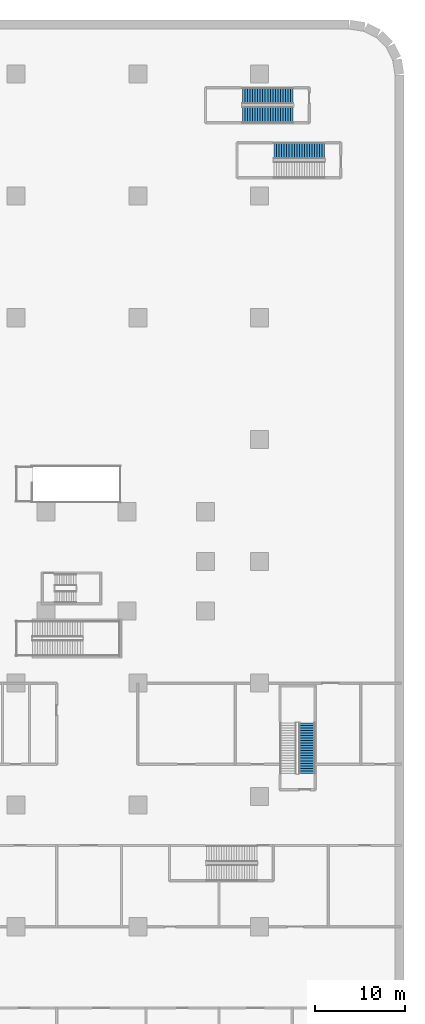
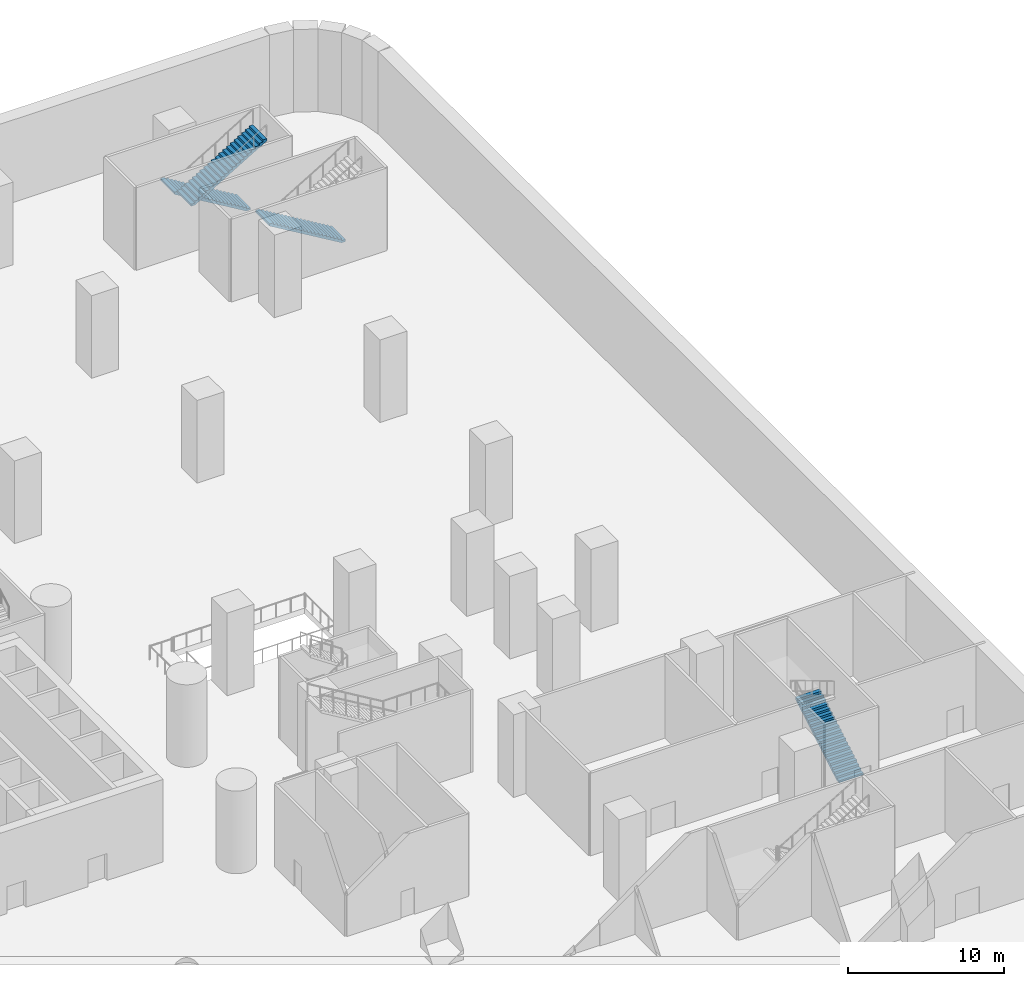
# One storey, part 19 of 37: 4 stair flights, 3 elements without a shape of their own.
"""IFC4 building model written with IfcOpenShell, lengths in metres."""

from ifc_helpers import new_model, si_unit, direction, frame, origin, place, context, subcontext, project, spatial, polyline, outline, extrude, material, type_object, element, aggregate, save


model = new_model("IFC4")

# Units and contexts
model_context = context("Model", 3, precision=1e-05, world=origin(), true_north=direction((0.0, 1.0)))
body_context = subcontext(model_context, "Body", "Model", "MODEL_VIEW")
ifc_project = project(units=[si_unit("LENGTHUNIT", "METRE"), si_unit("AREAUNIT", "SQUARE_METRE"), si_unit("VOLUMEUNIT", "CUBIC_METRE"), si_unit("PLANEANGLEUNIT", "RADIAN"), si_unit("MASSUNIT", "GRAM", prefix="KILO")], contexts=[model_context])

# Site, building, storey
site_placement = place(None, origin())
site = spatial("IfcSite", under=ifc_project, at=site_placement, CompositionType="ELEMENT")
building_placement = place(site_placement, origin())
building = spatial("IfcBuilding", under=site, at=building_placement, Name="Tamarind Cross Interchange Tower", CompositionType="ELEMENT")
storey_placement = place(building_placement, frame((0.0, 0.0, -7.0)))
storey = spatial("IfcBuildingStorey", under=building, at=storey_placement, Name="B1", CompositionType="ELEMENT", Elevation=-7.0)

# Stair, stair flights
ifc_material_1 = material(Name="Public stair")
stair_type = type_object("IfcStairType", Name="Public stair", PredefinedType="HALF_TURN_STAIR", material=ifc_material_1)
stair_1_placement = place(storey_placement, origin())
stair_1 = element("IfcStair", 1, at=stair_1_placement, inside=storey, type_object=stair_type, Name="B1 exit stair XS-P01", PredefinedType="HALF_TURN_STAIR")
ifc_material_2 = material(Name="Public stair flight")
stair_flight_type = type_object("IfcStairFlightType", Name="Public stair flight", PredefinedType="STRAIGHT", material=ifc_material_2)
stair_flight_1_placement = place(storey_placement, frame((57.699951171875, 51.60009765625, 0.0), z_axis=(0.0, 0.0, 1.0), x_axis=(-1.0, 0.0, 0.0)))
stair_flight_1 = element("IfcStairFlight", 2, at=stair_flight_1_placement, type_object=stair_flight_type, Name="XS-P01 flight 1", NumberOfRisers=21, NumberOfTreads=20, PredefinedType="STRAIGHT", RiserHeight=0.166666667, TreadLength=0.28, context=body_context, shape_type="SweptSolid", body=[
    extrude(outline(polyline([(0.0, 0.0), (0.0, 0.166748046875), (0.280029296875, 0.166748046875), (0.280029296875, 0.333251953125), (0.56005859375, 0.333251953125), (0.56005859375, 0.5), (0.840087890625, 0.5), (0.840087890625, 0.666748046875), (1.1201171875, 0.666748046875), (1.1201171875, 0.833251953125), (1.39990234375, 0.833251953125), (1.39990234375, 1.0), (1.679931640625, 1.0), (1.679931640625, 1.166748046875), (1.9599609375, 1.166748046875), (1.9599609375, 1.333251953125), (2.239990234375, 1.333251953125), (2.239990234375, 1.5), (2.52001953125, 1.5), (2.52001953125, 1.666748046875), (2.800048828125, 1.666748046875), (2.800048828125, 1.833251953125), (3.080078125, 1.833251953125), (3.080078125, 2.0), (3.360107421875, 2.0), (3.360107421875, 2.166748046875), (3.639892578125, 2.166748046875), (3.639892578125, 2.333251953125), (3.919921875, 2.333251953125), (3.919921875, 2.5), (4.199951171875, 2.5), (4.199951171875, 2.666748046875), (4.47998046875, 2.666748046875), (4.47998046875, 2.833251953125), (4.760009765625, 2.833251953125), (4.760009765625, 3.0), (5.0400390625, 3.0), (5.0400390625, 3.166748046875), (5.320068359375, 3.166748046875), (5.320068359375, 3.333251953125), (5.60009765625, 3.333251953125), (5.60009765625, 3.5), (5.60009765625, 3.158935546875), (0.29296875, 0.0), (0.0, 0.0)])), frame((0.0, 0.89990234375, 0.0), z_axis=(0.0, -1.0, 0.0), x_axis=(1.0, 0.0, 0.0)), (0.0, 0.0, 1.0), 1.800048828125),
])
stair_flight_2_placement = place(storey_placement, frame((52.10009765625, 49.5, 3.5), z_axis=(0.0, 0.0, 1.0), x_axis=(1.0, 0.0, 0.0)))
stair_flight_2 = element("IfcStairFlight", 3, at=stair_flight_2_placement, type_object=stair_flight_type, Name="XS-P01 flight 2", NumberOfRisers=21, NumberOfTreads=20, PredefinedType="STRAIGHT", RiserHeight=0.166666667, TreadLength=0.28, context=body_context, shape_type="SweptSolid", body=[
    extrude(outline(polyline([(0.0, 0.0), (0.0, 0.166748046875), (0.280029296875, 0.166748046875), (0.280029296875, 0.333251953125), (0.56005859375, 0.333251953125), (0.56005859375, 0.5), (0.840087890625, 0.5), (0.840087890625, 0.666748046875), (1.1201171875, 0.666748046875), (1.1201171875, 0.833251953125), (1.39990234375, 0.833251953125), (1.39990234375, 1.0), (1.679931640625, 1.0), (1.679931640625, 1.166748046875), (1.9599609375, 1.166748046875), (1.9599609375, 1.333251953125), (2.239990234375, 1.333251953125), (2.239990234375, 1.5), (2.52001953125, 1.5), (2.52001953125, 1.666748046875), (2.800048828125, 1.666748046875), (2.800048828125, 1.833251953125), (3.080078125, 1.833251953125), (3.080078125, 2.0), (3.360107421875, 2.0), (3.360107421875, 2.166748046875), (3.639892578125, 2.166748046875), (3.639892578125, 2.333251953125), (3.919921875, 2.333251953125), (3.919921875, 2.5), (4.199951171875, 2.5), (4.199951171875, 2.666748046875), (4.47998046875, 2.666748046875), (4.47998046875, 2.833251953125), (4.760009765625, 2.833251953125), (4.760009765625, 3.0), (5.0400390625, 3.0), (5.0400390625, 3.166748046875), (5.320068359375, 3.166748046875), (5.320068359375, 3.333251953125), (5.60009765625, 3.333251953125), (5.60009765625, 3.5), (5.60009765625, 3.158935546875), (0.29296875, 0.0), (0.0, 0.0)])), frame((0.0, 0.89990234375, 0.0), z_axis=(0.0, -1.0, 0.0), x_axis=(1.0, 0.0, 0.0)), (0.0, 0.0, 1.0), 1.800048828125),
])
aggregate(stair_1, [stair_flight_1, stair_flight_2])

# Stair, stair flight
stair_2_placement = place(storey_placement, origin())
stair_2 = element("IfcStair", 4, at=stair_2_placement, inside=storey, type_object=stair_type, Name="B1 exit stair XS-P02", PredefinedType="HALF_TURN_STAIR")
stair_flight_3_placement = place(storey_placement, frame((61.199951171875, 45.5, 0.0), z_axis=(0.0, 0.0, 1.0), x_axis=(-1.0, 0.0, 0.0)))
stair_flight_3 = element("IfcStairFlight", 5, at=stair_flight_3_placement, type_object=stair_flight_type, Name="XS-P02 flight 1", NumberOfRisers=21, NumberOfTreads=20, PredefinedType="STRAIGHT", RiserHeight=0.166666667, TreadLength=0.28, context=body_context, shape_type="SweptSolid", body=[
    extrude(outline(polyline([(0.0, 0.0), (0.0, 0.166748046875), (0.280029296875, 0.166748046875), (0.280029296875, 0.333251953125), (0.56005859375, 0.333251953125), (0.56005859375, 0.5), (0.840087890625, 0.5), (0.840087890625, 0.666748046875), (1.1201171875, 0.666748046875), (1.1201171875, 0.833251953125), (1.39990234375, 0.833251953125), (1.39990234375, 1.0), (1.679931640625, 1.0), (1.679931640625, 1.166748046875), (1.9599609375, 1.166748046875), (1.9599609375, 1.333251953125), (2.239990234375, 1.333251953125), (2.239990234375, 1.5), (2.52001953125, 1.5), (2.52001953125, 1.666748046875), (2.800048828125, 1.666748046875), (2.800048828125, 1.833251953125), (3.080078125, 1.833251953125), (3.080078125, 2.0), (3.360107421875, 2.0), (3.360107421875, 2.166748046875), (3.639892578125, 2.166748046875), (3.639892578125, 2.333251953125), (3.919921875, 2.333251953125), (3.919921875, 2.5), (4.199951171875, 2.5), (4.199951171875, 2.666748046875), (4.47998046875, 2.666748046875), (4.47998046875, 2.833251953125), (4.760009765625, 2.833251953125), (4.760009765625, 3.0), (5.0400390625, 3.0), (5.0400390625, 3.166748046875), (5.320068359375, 3.166748046875), (5.320068359375, 3.333251953125), (5.60009765625, 3.333251953125), (5.60009765625, 3.5), (5.60009765625, 3.158935546875), (0.29296875, 0.0), (0.0, 0.0)])), frame((0.0, 0.89990234375, 0.0), z_axis=(0.0, -1.0, 0.0), x_axis=(1.0, 0.0, 0.0)), (0.0, 0.0, 1.0), 1.800048828125),
])
aggregate(stair_2, [stair_flight_3])

stair_3_placement = place(storey_placement, origin())
stair_3 = element("IfcStair", 6, at=stair_3_placement, inside=storey, type_object=stair_type, Name="B1 exit stair XS-P11", PredefinedType="HALF_TURN_STAIR")
stair_flight_4_placement = place(storey_placement, frame((59.25, -23.5, 0.0), z_axis=(0.0, 0.0, 1.0), x_axis=(0.0, 1.0, 0.0)))
stair_flight_4 = element("IfcStairFlight", 7, at=stair_flight_4_placement, type_object=stair_flight_type, Name="XS-P11 flight 1", NumberOfRisers=21, NumberOfTreads=20, PredefinedType="STRAIGHT", RiserHeight=0.166666667, TreadLength=0.28, context=body_context, shape_type="SweptSolid", body=[
    extrude(outline(polyline([(0.0, 0.0), (0.0, 0.166748046875), (0.280029296875, 0.166748046875), (0.280029296875, 0.333251953125), (0.56005859375, 0.333251953125), (0.56005859375, 0.5), (0.840087890625, 0.5), (0.840087890625, 0.666748046875), (1.1201171875, 0.666748046875), (1.1201171875, 0.833251953125), (1.39990234375, 0.833251953125), (1.39990234375, 1.0), (1.679931640625, 1.0), (1.679931640625, 1.166748046875), (1.9599609375, 1.166748046875), (1.9599609375, 1.333251953125), (2.239990234375, 1.333251953125), (2.239990234375, 1.5), (2.52001953125, 1.5), (2.52001953125, 1.666748046875), (2.800048828125, 1.666748046875), (2.800048828125, 1.833251953125), (3.080078125, 1.833251953125), (3.080078125, 2.0), (3.360107421875, 2.0), (3.360107421875, 2.166748046875), (3.639892578125, 2.166748046875), (3.639892578125, 2.333251953125), (3.919921875, 2.333251953125), (3.919921875, 2.5), (4.199951171875, 2.5), (4.199951171875, 2.666748046875), (4.47998046875, 2.666748046875), (4.47998046875, 2.833251953125), (4.760009765625, 2.833251953125), (4.760009765625, 3.0), (5.0400390625, 3.0), (5.0400390625, 3.166748046875), (5.320068359375, 3.166748046875), (5.320068359375, 3.333251953125), (5.60009765625, 3.333251953125), (5.60009765625, 3.5), (5.60009765625, 3.158935546875), (0.29296875, 0.0), (0.0, 0.0)])), frame((0.0, 0.89990234375, 0.0), z_axis=(0.0, -1.0, 0.0), x_axis=(1.0, 0.0, 0.0)), (0.0, 0.0, 1.0), 1.800048828125),
])
aggregate(stair_3, [stair_flight_4])

save(model, "model.ifc")
